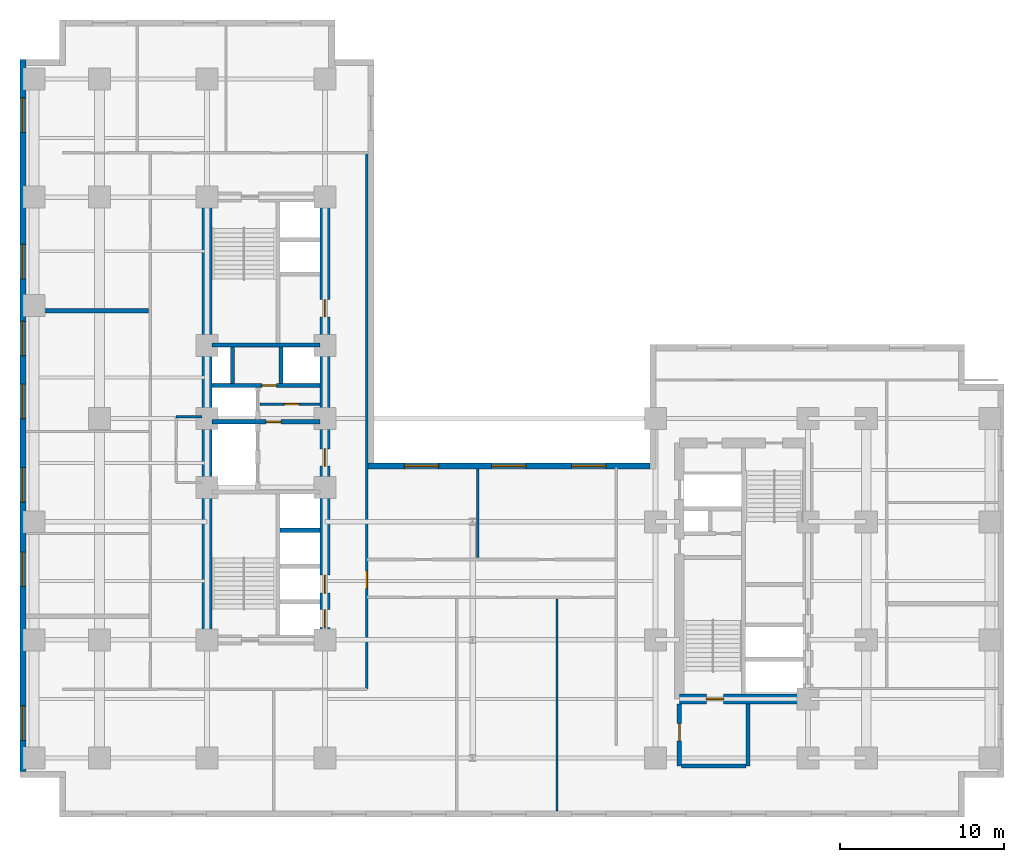
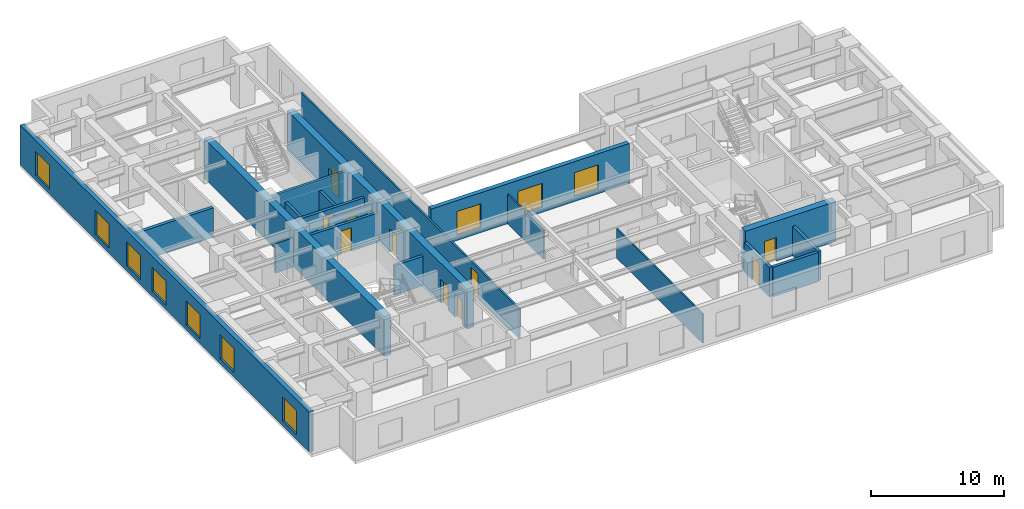
# One storey, part 4 of 9: 21 walls, 10 doors, 10 windows, 20 openings.
"""IFC4 building model written with IfcOpenShell, lengths in metres."""

from ifc_helpers import new_model, entity, si_unit, converted_unit, direction, frame, origin_with_axes, origin_2d_with_axis, place, context, subcontext, project, spatial, polyline, rectangle, outline, extrude, material, layer, layer_set, type_object, element, fill, save


model = new_model("IFC4")

# Units and contexts
model_context = context("Model", 3, precision=1e-05, world=origin_with_axes(), true_north=direction((0.0, 1.0)))
body_context = subcontext(model_context, "Body", "Model", "MODEL_VIEW")
ifc_project = project(units=[si_unit("LENGTHUNIT", "METRE"), si_unit("AREAUNIT", "SQUARE_METRE"), si_unit("VOLUMEUNIT", "CUBIC_METRE"), converted_unit("PLANEANGLEUNIT", "DEGREE", entity("IfcPlaneAngleMeasure", 0.017453292519943295), si_unit("PLANEANGLEUNIT", "RADIAN"), dimensions=[0, 0, 0, 0, 0, 0, 0]), si_unit("MASSUNIT", "GRAM", prefix="KILO"), si_unit("THERMODYNAMICTEMPERATUREUNIT", "KELVIN")], contexts=[model_context])

# Site, building, storey
site_placement = place(None, origin_with_axes())
site = spatial("IfcSite", under=ifc_project, at=site_placement, CompositionType="ELEMENT")
building_placement = place(site_placement, origin_with_axes())
building = spatial("IfcBuilding", under=site, at=building_placement, Name="Varnlund Millrace Tower", CompositionType="ELEMENT")
storey_placement = place(building_placement, frame((0.0, 0.0, 52.2), z_axis=(0.0, 0.0, 1.0), x_axis=(1.0, 0.0, 0.0)))
storey = spatial("IfcBuildingStorey", under=building, at=storey_placement, Name="L12", CompositionType="ELEMENT", Elevation=52.2)

# Wall
ifc_material_1 = material(Name="Concrete C80/95", Category="concrete")
ifc_layer_1 = layer(ifc_material_1, 0.6, Name="Concrete C80/95")
ifc_layer_set_1 = layer_set([ifc_layer_1], Name="Concrete C80/95")
wall_type_1 = type_object("IfcWallType", Name="Type-CoreWall-Shear-600-C80", PredefinedType="SHEAR", material=ifc_layer_set_1)
wall_1_placement = place(storey_placement, frame((11.4, 10.8, 0.0), z_axis=(0.0, 0.0, 1.0), x_axis=(0.0, 1.0, 0.0)))
element("IfcWall", 1, at=wall_1_placement, inside=storey, type_object=wall_type_1, Name="Type-CoreWall-Shear-600-C80", PredefinedType="SHEAR", context=body_context, shape_type="SweptSolid", body=[
    extrude(outline(polyline([(0.0, -0.3), (27.0, -0.3), (27.0, 0.3), (0.0, 0.3), (0.0, -0.3)])), origin_with_axes(), (0.0, 0.0, 1.0), 3.66),
])

# Wall, openings, doors
wall_2_placement = place(storey_placement, frame((18.6, 10.8, 0.0), z_axis=(0.0, 0.0, 1.0), x_axis=(0.0, 1.0, 0.0)))
wall_2 = element("IfcWall", 2, at=wall_2_placement, inside=storey, type_object=wall_type_1, Name="Type-CoreWall-Shear-600-C80", PredefinedType="SHEAR", context=body_context, shape_type="SweptSolid", body=[
    extrude(outline(polyline([(0.0, -0.3), (13.5, -0.3), (13.5, 0.3), (0.0, 0.3), (0.0, -0.3)])), origin_with_axes(), (0.0, 0.0, 1.0), 3.66),
])
opening_1_placement = place(wall_2_placement, frame((1.3, 0.0, 0.0), z_axis=(0.0, 0.0, 1.0), x_axis=(1.0, 0.0, 0.0)))
opening_1 = element("IfcOpeningElement", 3, at=opening_1_placement, cuts=wall_2, Name="Opening L12:LD-ELV-L1", PredefinedType="OPENING", context=body_context, shape_type="SweptSolid", body=[
    extrude(rectangle(XDim=1.1, YDim=0.62, at=origin_2d_with_axis()), origin_with_axes(), (0.0, 0.0, 1.0), 2.15),
])
opening_2_placement = place(wall_2_placement, frame((3.4, 0.0, 0.0), z_axis=(0.0, 0.0, 1.0), x_axis=(1.0, 0.0, 0.0)))
opening_2 = element("IfcOpeningElement", 4, at=opening_2_placement, cuts=wall_2, Name="Opening L12:LD-ELV-L2", PredefinedType="OPENING", context=body_context, shape_type="SweptSolid", body=[
    extrude(rectangle(XDim=1.1, YDim=0.62, at=origin_2d_with_axis()), origin_with_axes(), (0.0, 0.0, 1.0), 2.15),
])
opening_3_placement = place(wall_2_placement, frame((11.125, 0.0, 0.0), z_axis=(0.0, 0.0, 1.0), x_axis=(1.0, 0.0, 0.0)))
opening_3 = element("IfcOpeningElement", 5, at=opening_3_placement, cuts=wall_2, Name="Opening L12:DR-FFLOB-A", PredefinedType="OPENING", context=body_context, shape_type="SweptSolid", body=[
    extrude(rectangle(XDim=1.05, YDim=0.62, at=origin_2d_with_axis()), origin_with_axes(), (0.0, 0.0, 1.0), 2.15),
])
ifc_material_2 = material(Name="Smoke-barrier hollow steel fire door", Category="steel")
door_type_1 = type_object("IfcDoorType", Name="Type-FireDoor-Lobby-1050X2150", OperationType="NOTDEFINED", PredefinedType="DOOR", material=ifc_material_2)
door_1_placement = place(wall_2_placement, frame((11.125, 0.0, 0.0), z_axis=(0.0, 0.0, 1.0), x_axis=(1.0, 0.0, 0.0)))
door_1 = element("IfcDoor", 6, at=door_1_placement, inside=storey, type_object=door_type_1, Name="Type-FireDoor-Lobby-1050X2150", OperationType="SINGLE_SWING_LEFT", OverallHeight=2.15, OverallWidth=1.05, PredefinedType="DOOR", context=body_context, shape_type="SweptSolid", body=[
    extrude(rectangle(XDim=1.05, YDim=0.09, at=origin_2d_with_axis()), origin_with_axes(), (0.0, 0.0, 1.0), 2.15),
])
fill(opening_3, door_1)
ifc_material_3 = material(Name="Stainless and architectural bronze sliding landing door")
door_type_2 = type_object("IfcDoorType", Name="Type-LiftLandingDoor-1100X2150", OperationType="NOTDEFINED", PredefinedType="DOOR", material=ifc_material_3)
door_2_placement = place(wall_2_placement, frame((1.3, 0.0, 0.0), z_axis=(0.0, 0.0, 1.0), x_axis=(1.0, 0.0, 0.0)))
door_2 = element("IfcDoor", 7, at=door_2_placement, inside=storey, type_object=door_type_2, Name="Type-LiftLandingDoor-1100X2150", OperationType="SLIDING_TO_LEFT", OverallHeight=2.15, OverallWidth=1.1, PredefinedType="DOOR", context=body_context, shape_type="SweptSolid", body=[
    extrude(rectangle(XDim=1.1, YDim=0.09, at=origin_2d_with_axis()), origin_with_axes(), (0.0, 0.0, 1.0), 2.15),
])
fill(opening_1, door_2)
door_3_placement = place(wall_2_placement, frame((3.4, 0.0, 0.0), z_axis=(0.0, 0.0, 1.0), x_axis=(1.0, 0.0, 0.0)))
door_3 = element("IfcDoor", 8, at=door_3_placement, inside=storey, type_object=door_type_2, Name="Type-LiftLandingDoor-1100X2150", OperationType="SLIDING_TO_RIGHT", OverallHeight=2.15, OverallWidth=1.1, PredefinedType="DOOR", context=body_context, shape_type="SweptSolid", body=[
    extrude(rectangle(XDim=1.1, YDim=0.09, at=origin_2d_with_axis()), origin_with_axes(), (0.0, 0.0, 1.0), 2.15),
])
fill(opening_2, door_3)

# Wall, opening, door
wall_3_placement = place(storey_placement, frame((18.6, 24.3, 0.0), z_axis=(0.0, 0.0, 1.0), x_axis=(0.0, 1.0, 0.0)))
wall_3 = element("IfcWall", 9, at=wall_3_placement, inside=storey, type_object=wall_type_1, Name="Type-CoreWall-Shear-600-C80", PredefinedType="SHEAR", context=body_context, shape_type="SweptSolid", body=[
    extrude(outline(polyline([(0.0, -0.3), (13.5, -0.3), (13.5, 0.3), (0.0, 0.3), (0.0, -0.3)])), origin_with_axes(), (0.0, 0.0, 1.0), 3.66),
])
opening_4_placement = place(wall_3_placement, frame((6.725, 0.0, 0.0), z_axis=(0.0, 0.0, 1.0), x_axis=(1.0, 0.0, 0.0)))
opening_4 = element("IfcOpeningElement", 10, at=opening_4_placement, cuts=wall_3, Name="Opening L12:DR-CA-WC1", PredefinedType="OPENING", context=body_context, shape_type="SweptSolid", body=[
    extrude(rectangle(XDim=1.05, YDim=0.62, at=origin_2d_with_axis()), origin_with_axes(), (0.0, 0.0, 1.0), 2.15),
])
door_4_placement = place(wall_3_placement, frame((6.725, 0.0, 0.0), z_axis=(0.0, 0.0, 1.0), x_axis=(1.0, 0.0, 0.0)))
door_4 = element("IfcDoor", 11, at=door_4_placement, inside=storey, type_object=door_type_1, Name="Type-FireDoor-Lobby-1050X2150", OperationType="SINGLE_SWING_LEFT", OverallHeight=2.15, OverallWidth=1.05, PredefinedType="DOOR", context=body_context, shape_type="SweptSolid", body=[
    extrude(rectangle(XDim=1.05, YDim=0.09, at=origin_2d_with_axis()), origin_with_axes(), (0.0, 0.0, 1.0), 2.15),
])
fill(opening_4, door_4)

wall_4_placement = place(storey_placement, frame((40.2, 7.2, 0.0), z_axis=(0.0, 0.0, 1.0), x_axis=(1.0, 0.0, 0.0)))
wall_4 = element("IfcWall", 12, at=wall_4_placement, inside=storey, type_object=wall_type_1, Name="Type-CoreWall-Shear-600-C80", PredefinedType="SHEAR", context=body_context, shape_type="SweptSolid", body=[
    extrude(outline(polyline([(0.0, -0.3), (7.85, -0.3), (7.85, 0.3), (0.0, 0.3), (0.0, -0.3)])), origin_with_axes(), (0.0, 0.0, 1.0), 3.66),
])
opening_5_placement = place(wall_4_placement, frame((2.175, 0.0, 0.0), z_axis=(0.0, 0.0, 1.0), x_axis=(1.0, 0.0, 0.0)))
opening_5 = element("IfcOpeningElement", 13, at=opening_5_placement, cuts=wall_4, Name="Opening L12:DR-STB1", PredefinedType="OPENING", context=body_context, shape_type="SweptSolid", body=[
    extrude(rectangle(XDim=1.05, YDim=0.62, at=origin_2d_with_axis()), origin_with_axes(), (0.0, 0.0, 1.0), 2.15),
])
ifc_material_4 = material(Name="Fire-rated hollow steel door", Category="steel")
door_type_3 = type_object("IfcDoorType", Name="Type-FireDoor-Stair-1050X2150", OperationType="NOTDEFINED", PredefinedType="DOOR", material=ifc_material_4)
door_5_placement = place(wall_4_placement, frame((2.175, 0.0, 0.0), z_axis=(0.0, 0.0, 1.0), x_axis=(1.0, 0.0, 0.0)))
door_5 = element("IfcDoor", 14, at=door_5_placement, inside=storey, type_object=door_type_3, Name="Type-FireDoor-Stair-1050X2150", OperationType="SINGLE_SWING_LEFT", OverallHeight=2.15, OverallWidth=1.05, PredefinedType="DOOR", context=body_context, shape_type="SweptSolid", body=[
    extrude(rectangle(XDim=1.05, YDim=0.09, at=origin_2d_with_axis()), origin_with_axes(), (0.0, 0.0, 1.0), 2.15),
])
fill(opening_5, door_5)

# Wall, openings, windows
ifc_material_5 = material(Name="Precast concrete C50/60", Category="concrete")
ifc_layer_2 = layer(ifc_material_5, 0.38, Name="Precast concrete C50/60")
ifc_layer_set_2 = layer_set([ifc_layer_2], Name="Precast concrete C50/60")
wall_type_2 = type_object("IfcWallType", Name="Type-ExtWall-Precast-Tube-380", PredefinedType="SOLIDWALL", material=ifc_layer_set_2)
wall_5_placement = place(storey_placement, frame((0.19, 2.78, 0.0), z_axis=(0.0, 0.0, 1.0), x_axis=(0.0, 1.0, 0.0)))
wall_5 = element("IfcWall", 15, at=wall_5_placement, inside=storey, type_object=wall_type_2, Name="Type-ExtWall-Precast-Tube-380", PredefinedType="SOLIDWALL", context=body_context, shape_type="SweptSolid", body=[
    extrude(outline(polyline([(0.0, -0.19), (43.42, -0.19), (43.42, 0.19), (0.0, 0.19), (0.0, -0.19)])), origin_with_axes(), (0.0, 0.0, 1.0), 3.66),
])
opening_6_placement = place(wall_5_placement, frame((2.946, 0.0, 0.45), z_axis=(0.0, 0.0, 1.0), x_axis=(1.0, 0.0, 0.0)))
opening_6 = element("IfcOpeningElement", 16, at=opening_6_placement, cuts=wall_5, Name="Opening L12:WN-16", PredefinedType="OPENING", context=body_context, shape_type="SweptSolid", body=[
    extrude(rectangle(XDim=2.1, YDim=0.4, at=origin_2d_with_axis()), origin_with_axes(), (0.0, 0.0, 1.0), 2.2),
])
opening_7_placement = place(wall_5_placement, frame((12.328, 0.0, 0.45), z_axis=(0.0, 0.0, 1.0), x_axis=(1.0, 0.0, 0.0)))
opening_7 = element("IfcOpeningElement", 17, at=opening_7_placement, cuts=wall_5, Name="Opening L12:WN-17", PredefinedType="OPENING", context=body_context, shape_type="SweptSolid", body=[
    extrude(rectangle(XDim=2.1, YDim=0.4, at=origin_2d_with_axis()), origin_with_axes(), (0.0, 0.0, 1.0), 2.2),
])
opening_8_placement = place(wall_5_placement, frame((17.469, 0.0, 0.45), z_axis=(0.0, 0.0, 1.0), x_axis=(1.0, 0.0, 0.0)))
opening_8 = element("IfcOpeningElement", 18, at=opening_8_placement, cuts=wall_5, Name="Opening L12:WN-18", PredefinedType="OPENING", context=body_context, shape_type="SweptSolid", body=[
    extrude(rectangle(XDim=2.1, YDim=0.4, at=origin_2d_with_axis()), origin_with_axes(), (0.0, 0.0, 1.0), 2.2),
])
opening_9_placement = place(wall_5_placement, frame((22.56, 0.0, 0.45), z_axis=(0.0, 0.0, 1.0), x_axis=(1.0, 0.0, 0.0)))
opening_9 = element("IfcOpeningElement", 19, at=opening_9_placement, cuts=wall_5, Name="Opening L12:WN-19", PredefinedType="OPENING", context=body_context, shape_type="SweptSolid", body=[
    extrude(rectangle(XDim=2.1, YDim=0.4, at=origin_2d_with_axis()), origin_with_axes(), (0.0, 0.0, 1.0), 2.2),
])
opening_10_placement = place(wall_5_placement, frame((26.401, 0.0, 0.45), z_axis=(0.0, 0.0, 1.0), x_axis=(1.0, 0.0, 0.0)))
opening_10 = element("IfcOpeningElement", 20, at=opening_10_placement, cuts=wall_5, Name="Opening L12:WN-20", PredefinedType="OPENING", context=body_context, shape_type="SweptSolid", body=[
    extrude(rectangle(XDim=2.1, YDim=0.4, at=origin_2d_with_axis()), origin_with_axes(), (0.0, 0.0, 1.0), 2.2),
])
opening_11_placement = place(wall_5_placement, frame((31.092, 0.0, 0.45), z_axis=(0.0, 0.0, 1.0), x_axis=(1.0, 0.0, 0.0)))
opening_11 = element("IfcOpeningElement", 21, at=opening_11_placement, cuts=wall_5, Name="Opening L12:WN-21", PredefinedType="OPENING", context=body_context, shape_type="SweptSolid", body=[
    extrude(rectangle(XDim=2.1, YDim=0.4, at=origin_2d_with_axis()), origin_with_axes(), (0.0, 0.0, 1.0), 2.2),
])
opening_12_placement = place(wall_5_placement, frame((40.024, 0.0, 0.45), z_axis=(0.0, 0.0, 1.0), x_axis=(1.0, 0.0, 0.0)))
opening_12 = element("IfcOpeningElement", 22, at=opening_12_placement, cuts=wall_5, Name="Opening L12:WN-22", PredefinedType="OPENING", context=body_context, shape_type="SweptSolid", body=[
    extrude(rectangle(XDim=2.1, YDim=0.4, at=origin_2d_with_axis()), origin_with_axes(), (0.0, 0.0, 1.0), 2.2),
])
ifc_material_6 = material(Name="Argon low-e triple glazing in thermally broken bronze frame", Category="glass")
window_type = type_object("IfcWindowType", Name="Type-Window-Punched-2100X2200", PartitioningType="SINGLE_PANEL", PredefinedType="WINDOW", material=ifc_material_6)
window_1_placement = place(wall_5_placement, frame((2.946, 0.0, 0.45), z_axis=(0.0, 0.0, 1.0), x_axis=(1.0, 0.0, 0.0)))
window_1 = element("IfcWindow", 23, at=window_1_placement, inside=storey, type_object=window_type, Name="Type-Window-Punched-2100X2200", OverallHeight=2.2, OverallWidth=2.1, PredefinedType="WINDOW", context=body_context, shape_type="SweptSolid", body=[
    extrude(rectangle(XDim=2.1, YDim=0.09, at=origin_2d_with_axis()), origin_with_axes(), (0.0, 0.0, 1.0), 2.2),
])
fill(opening_6, window_1)
window_2_placement = place(wall_5_placement, frame((12.328, 0.0, 0.45), z_axis=(0.0, 0.0, 1.0), x_axis=(1.0, 0.0, 0.0)))
window_2 = element("IfcWindow", 24, at=window_2_placement, inside=storey, type_object=window_type, Name="Type-Window-Punched-2100X2200", OverallHeight=2.2, OverallWidth=2.1, PredefinedType="WINDOW", context=body_context, shape_type="SweptSolid", body=[
    extrude(rectangle(XDim=2.1, YDim=0.09, at=origin_2d_with_axis()), origin_with_axes(), (0.0, 0.0, 1.0), 2.2),
])
fill(opening_7, window_2)
window_3_placement = place(wall_5_placement, frame((17.469, 0.0, 0.45), z_axis=(0.0, 0.0, 1.0), x_axis=(1.0, 0.0, 0.0)))
window_3 = element("IfcWindow", 25, at=window_3_placement, inside=storey, type_object=window_type, Name="Type-Window-Punched-2100X2200", OverallHeight=2.2, OverallWidth=2.1, PredefinedType="WINDOW", context=body_context, shape_type="SweptSolid", body=[
    extrude(rectangle(XDim=2.1, YDim=0.09, at=origin_2d_with_axis()), origin_with_axes(), (0.0, 0.0, 1.0), 2.2),
])
fill(opening_8, window_3)
window_4_placement = place(wall_5_placement, frame((22.56, 0.0, 0.45), z_axis=(0.0, 0.0, 1.0), x_axis=(1.0, 0.0, 0.0)))
window_4 = element("IfcWindow", 26, at=window_4_placement, inside=storey, type_object=window_type, Name="Type-Window-Punched-2100X2200", OverallHeight=2.2, OverallWidth=2.1, PredefinedType="WINDOW", context=body_context, shape_type="SweptSolid", body=[
    extrude(rectangle(XDim=2.1, YDim=0.09, at=origin_2d_with_axis()), origin_with_axes(), (0.0, 0.0, 1.0), 2.2),
])
fill(opening_9, window_4)
window_5_placement = place(wall_5_placement, frame((26.401, 0.0, 0.45), z_axis=(0.0, 0.0, 1.0), x_axis=(1.0, 0.0, 0.0)))
window_5 = element("IfcWindow", 27, at=window_5_placement, inside=storey, type_object=window_type, Name="Type-Window-Punched-2100X2200", OverallHeight=2.2, OverallWidth=2.1, PredefinedType="WINDOW", context=body_context, shape_type="SweptSolid", body=[
    extrude(rectangle(XDim=2.1, YDim=0.09, at=origin_2d_with_axis()), origin_with_axes(), (0.0, 0.0, 1.0), 2.2),
])
fill(opening_10, window_5)
window_6_placement = place(wall_5_placement, frame((31.092, 0.0, 0.45), z_axis=(0.0, 0.0, 1.0), x_axis=(1.0, 0.0, 0.0)))
window_6 = element("IfcWindow", 28, at=window_6_placement, inside=storey, type_object=window_type, Name="Type-Window-Punched-2100X2200", OverallHeight=2.2, OverallWidth=2.1, PredefinedType="WINDOW", context=body_context, shape_type="SweptSolid", body=[
    extrude(rectangle(XDim=2.1, YDim=0.09, at=origin_2d_with_axis()), origin_with_axes(), (0.0, 0.0, 1.0), 2.2),
])
fill(opening_11, window_6)
window_7_placement = place(wall_5_placement, frame((40.024, 0.0, 0.45), z_axis=(0.0, 0.0, 1.0), x_axis=(1.0, 0.0, 0.0)))
window_7 = element("IfcWindow", 29, at=window_7_placement, inside=storey, type_object=window_type, Name="Type-Window-Punched-2100X2200", OverallHeight=2.2, OverallWidth=2.1, PredefinedType="WINDOW", context=body_context, shape_type="SweptSolid", body=[
    extrude(rectangle(XDim=2.1, YDim=0.09, at=origin_2d_with_axis()), origin_with_axes(), (0.0, 0.0, 1.0), 2.2),
])
fill(opening_12, window_7)

wall_6_placement = place(storey_placement, frame((21.22, 21.41, 0.0), z_axis=(0.0, 0.0, 1.0), x_axis=(1.0, 0.0, 0.0)))
wall_6 = element("IfcWall", 30, at=wall_6_placement, inside=storey, type_object=wall_type_2, Name="Type-ExtWall-Precast-Tube-380", PredefinedType="SOLIDWALL", context=body_context, shape_type="SweptSolid", body=[
    extrude(outline(polyline([(0.0, -0.19), (17.18, -0.19), (17.18, 0.19), (0.0, 0.19), (0.0, -0.19)])), origin_with_axes(), (0.0, 0.0, 1.0), 3.66),
])
opening_13_placement = place(wall_6_placement, frame((3.263, 0.0, 0.45), z_axis=(0.0, 0.0, 1.0), x_axis=(1.0, 0.0, 0.0)))
opening_13 = element("IfcOpeningElement", 31, at=opening_13_placement, cuts=wall_6, Name="Opening L12:WN-27", PredefinedType="OPENING", context=body_context, shape_type="SweptSolid", body=[
    extrude(rectangle(XDim=2.1, YDim=0.4, at=origin_2d_with_axis()), origin_with_axes(), (0.0, 0.0, 1.0), 2.2),
])
opening_14_placement = place(wall_6_placement, frame((8.59, 0.0, 0.45), z_axis=(0.0, 0.0, 1.0), x_axis=(1.0, 0.0, 0.0)))
opening_14 = element("IfcOpeningElement", 32, at=opening_14_placement, cuts=wall_6, Name="Opening L12:WN-28", PredefinedType="OPENING", context=body_context, shape_type="SweptSolid", body=[
    extrude(rectangle(XDim=2.1, YDim=0.4, at=origin_2d_with_axis()), origin_with_axes(), (0.0, 0.0, 1.0), 2.2),
])
opening_15_placement = place(wall_6_placement, frame((13.467, 0.0, 0.45), z_axis=(0.0, 0.0, 1.0), x_axis=(1.0, 0.0, 0.0)))
opening_15 = element("IfcOpeningElement", 33, at=opening_15_placement, cuts=wall_6, Name="Opening L12:WN-29", PredefinedType="OPENING", context=body_context, shape_type="SweptSolid", body=[
    extrude(rectangle(XDim=2.1, YDim=0.4, at=origin_2d_with_axis()), origin_with_axes(), (0.0, 0.0, 1.0), 2.2),
])
window_8_placement = place(wall_6_placement, frame((3.263, 0.0, 0.45), z_axis=(0.0, 0.0, 1.0), x_axis=(1.0, 0.0, 0.0)))
window_8 = element("IfcWindow", 34, at=window_8_placement, inside=storey, type_object=window_type, Name="Type-Window-Punched-2100X2200", OverallHeight=2.2, OverallWidth=2.1, PredefinedType="WINDOW", context=body_context, shape_type="SweptSolid", body=[
    extrude(rectangle(XDim=2.1, YDim=0.09, at=origin_2d_with_axis()), origin_with_axes(), (0.0, 0.0, 1.0), 2.2),
])
fill(opening_13, window_8)
window_9_placement = place(wall_6_placement, frame((8.59, 0.0, 0.45), z_axis=(0.0, 0.0, 1.0), x_axis=(1.0, 0.0, 0.0)))
window_9 = element("IfcWindow", 35, at=window_9_placement, inside=storey, type_object=window_type, Name="Type-Window-Punched-2100X2200", OverallHeight=2.2, OverallWidth=2.1, PredefinedType="WINDOW", context=body_context, shape_type="SweptSolid", body=[
    extrude(rectangle(XDim=2.1, YDim=0.09, at=origin_2d_with_axis()), origin_with_axes(), (0.0, 0.0, 1.0), 2.2),
])
fill(opening_14, window_9)
window_10_placement = place(wall_6_placement, frame((13.467, 0.0, 0.45), z_axis=(0.0, 0.0, 1.0), x_axis=(1.0, 0.0, 0.0)))
window_10 = element("IfcWindow", 36, at=window_10_placement, inside=storey, type_object=window_type, Name="Type-Window-Punched-2100X2200", OverallHeight=2.2, OverallWidth=2.1, PredefinedType="WINDOW", context=body_context, shape_type="SweptSolid", body=[
    extrude(rectangle(XDim=2.1, YDim=0.09, at=origin_2d_with_axis()), origin_with_axes(), (0.0, 0.0, 1.0), 2.2),
])
fill(opening_15, window_10)

# Wall
ifc_material_7 = material(Name="Double-stud STC-60 conference acoustic partition", Category="gypsum")
ifc_layer_3 = layer(ifc_material_7, 0.28, Name="Double-stud STC-60 conference acoustic partition")
ifc_layer_set_3 = layer_set([ifc_layer_3], Name="Double-stud STC-60 conference acoustic partition")
wall_type_3 = type_object("IfcWallType", Name="Type-Partition-Acoustic-280", PredefinedType="PARTITIONING", material=ifc_layer_set_3)
wall_7_placement = place(storey_placement, frame((0.375, 30.87, 0.0), z_axis=(0.0, 0.0, 1.0), x_axis=(1.0, 0.0, 0.0)))
element("IfcWall", 37, at=wall_7_placement, inside=storey, type_object=wall_type_3, Name="Type-Partition-Acoustic-280", PredefinedType="PARTITIONING", context=body_context, shape_type="SweptSolid", body=[
    extrude(outline(polyline([(0.0, -0.14), (7.455, -0.14), (7.455, 0.14), (0.0, 0.14), (0.0, -0.14)])), origin_with_axes(), (0.0, 0.0, 1.0), 2.7),
])

# Wall, opening, door
ifc_material_8 = material(Name="Fire-rated gypsum board on cold-formed steel framing", Category="steel")
ifc_layer_4 = layer(ifc_material_8, 0.16, Name="Fire-rated gypsum board on cold-formed steel framing")
ifc_layer_set_4 = layer_set([ifc_layer_4], Name="Fire-rated gypsum board on cold-formed steel framing")
wall_type_4 = type_object("IfcWallType", Name="Type-Partition-Corridor-160", PredefinedType="PARTITIONING", material=ifc_layer_set_4)
wall_8_placement = place(storey_placement, frame((14.62, 25.18, 0.0), z_axis=(0.0, 0.0, 1.0), x_axis=(1.0, 0.0, 0.0)))
wall_8 = element("IfcWall", 38, at=wall_8_placement, inside=storey, type_object=wall_type_4, Name="Type-Partition-Corridor-160", PredefinedType="PARTITIONING", context=body_context, shape_type="SweptSolid", body=[
    extrude(outline(polyline([(0.0, -0.08), (3.68, -0.08), (3.68, 0.08), (0.0, 0.08), (0.0, -0.08)])), origin_with_axes(), (0.0, 0.0, 1.0), 2.7),
])
opening_16_placement = place(wall_8_placement, frame((1.95, 0.0, 0.0), z_axis=(0.0, 0.0, 1.0), x_axis=(1.0, 0.0, 0.0)))
opening_16 = element("IfcOpeningElement", 39, at=opening_16_placement, cuts=wall_8, Name="Opening L12:DR-CA-SUB2", PredefinedType="OPENING", context=body_context, shape_type="SweptSolid", body=[
    extrude(rectangle(XDim=0.9, YDim=0.18, at=origin_2d_with_axis()), origin_with_axes(), (0.0, 0.0, 1.0), 2.15),
])
ifc_material_9 = material(Name="Painted steel riser and closet door", Category="steel")
door_type_4 = type_object("IfcDoorType", Name="Type-IntDoor-Closet-900X2150", OperationType="NOTDEFINED", PredefinedType="DOOR", material=ifc_material_9)
door_6_placement = place(wall_8_placement, frame((1.95, 0.0, 0.0), z_axis=(0.0, 0.0, 1.0), x_axis=(1.0, 0.0, 0.0)))
door_6 = element("IfcDoor", 40, at=door_6_placement, inside=storey, type_object=door_type_4, Name="Type-IntDoor-Closet-900X2150", OperationType="SINGLE_SWING_LEFT", OverallHeight=2.15, OverallWidth=0.9, PredefinedType="DOOR", context=body_context, shape_type="SweptSolid", body=[
    extrude(rectangle(XDim=0.9, YDim=0.09, at=origin_2d_with_axis()), origin_with_axes(), (0.0, 0.0, 1.0), 2.15),
])
fill(opening_16, door_6)

wall_9_placement = place(storey_placement, frame((21.15, 7.8, 0.0), z_axis=(0.0, 0.0, 1.0), x_axis=(0.0, 1.0, 0.0)))
wall_9 = element("IfcWall", 41, at=wall_9_placement, inside=storey, type_object=wall_type_4, Name="Type-Partition-Corridor-160", PredefinedType="PARTITIONING", context=body_context, shape_type="SweptSolid", body=[
    extrude(outline(polyline([(0.0, -0.08), (32.7, -0.08), (32.7, 0.08), (0.0, 0.08), (0.0, -0.08)])), origin_with_axes(), (0.0, 0.0, 1.0), 2.7),
])
opening_17_placement = place(wall_9_placement, frame((6.675, 0.0, 0.0), z_axis=(0.0, 0.0, 1.0), x_axis=(1.0, 0.0, 0.0)))
opening_17 = element("IfcOpeningElement", 42, at=opening_17_placement, cuts=wall_9, Name="Opening L12:DR-KN-W", PredefinedType="OPENING", context=body_context, shape_type="SweptSolid", body=[
    extrude(rectangle(XDim=1.05, YDim=0.18, at=origin_2d_with_axis()), origin_with_axes(), (0.0, 0.0, 1.0), 2.15),
])
door_7_placement = place(wall_9_placement, frame((6.675, 0.0, 0.0), z_axis=(0.0, 0.0, 1.0), x_axis=(1.0, 0.0, 0.0)))
door_7 = element("IfcDoor", 43, at=door_7_placement, inside=storey, type_object=door_type_1, Name="Type-FireDoor-Lobby-1050X2150", OperationType="SINGLE_SWING_LEFT", OverallHeight=2.15, OverallWidth=1.05, PredefinedType="DOOR", context=body_context, shape_type="SweptSolid", body=[
    extrude(rectangle(XDim=1.05, YDim=0.09, at=origin_2d_with_axis()), origin_with_axes(), (0.0, 0.0, 1.0), 2.15),
])
fill(opening_17, door_7)

# Walls
ifc_material_10 = material(Name="Acoustic STC-50 gypsum board partition", Category="gypsum")
ifc_layer_5 = layer(ifc_material_10, 0.15, Name="Acoustic STC-50 gypsum board partition")
ifc_layer_set_5 = layer_set([ifc_layer_5], Name="Acoustic STC-50 gypsum board partition")
wall_type_5 = type_object("IfcWallType", Name="Type-Partition-Demising-150", PredefinedType="PARTITIONING", material=ifc_layer_set_5)
wall_10_placement = place(storey_placement, frame((27.906, 15.82, 0.0), z_axis=(0.0, 0.0, 1.0), x_axis=(0.0, 1.0, 0.0)))
element("IfcWall", 44, at=wall_10_placement, inside=storey, type_object=wall_type_5, Name="Type-Partition-Demising-150", PredefinedType="PARTITIONING", context=body_context, shape_type="SweptSolid", body=[
    extrude(outline(polyline([(0.0, -0.075), (5.405, -0.075), (5.405, 0.075), (0.0, 0.075), (0.0, -0.075)])), origin_with_axes(), (0.0, 0.0, 1.0), 2.7),
])
ifc_material_11 = material(Name="Gypsum board tenant partition", Category="gypsum")
ifc_layer_6 = layer(ifc_material_11, 0.125, Name="Gypsum board tenant partition")
ifc_layer_set_6 = layer_set([ifc_layer_6], Name="Gypsum board tenant partition")
wall_type_6 = type_object("IfcWallType", Name="Type-Partition-Tenant-125", PredefinedType="PARTITIONING", material=ifc_layer_set_6)
wall_11_placement = place(storey_placement, frame((32.742, 0.36, 0.0), z_axis=(0.0, 0.0, 1.0), x_axis=(0.0, 1.0, 0.0)))
element("IfcWall", 45, at=wall_11_placement, inside=storey, type_object=wall_type_6, Name="Type-Partition-Tenant-125", PredefinedType="PARTITIONING", context=body_context, shape_type="SweptSolid", body=[
    extrude(outline(polyline([(0.0, -0.0625), (12.92, -0.0625), (12.92, 0.0625), (0.0, 0.0625), (0.0, -0.0625)])), origin_with_axes(), (0.0, 0.0, 1.0), 2.7),
])
ifc_material_12 = material(Name="Moisture-resistant gypsum restroom partition", Category="gypsum")
ifc_layer_7 = layer(ifc_material_12, 0.14, Name="Moisture-resistant gypsum restroom partition")
ifc_layer_set_7 = layer_set([ifc_layer_7], Name="Moisture-resistant gypsum restroom partition")
wall_type_7 = type_object("IfcWallType", Name="Type-Partition-Wet-140", PredefinedType="PARTITIONING", material=ifc_layer_set_7)
wall_12_placement = place(storey_placement, frame((9.52, 24.4, 0.0), z_axis=(0.0, 0.0, 1.0), x_axis=(1.0, 0.0, 0.0)))
element("IfcWall", 46, at=wall_12_placement, inside=storey, type_object=wall_type_7, Name="Type-Partition-Wet-140", PredefinedType="PARTITIONING", context=body_context, shape_type="SweptSolid", body=[
    extrude(outline(polyline([(0.0, -0.07), (1.58, -0.07), (1.58, 0.07), (0.0, 0.07), (0.0, -0.07)])), origin_with_axes(), (0.0, 0.0, 1.0), 2.7),
])

# Wall, opening, door
ifc_material_13 = material(Name="Concrete C60/75", Category="concrete")
ifc_layer_8 = layer(ifc_material_13, 0.25, Name="Concrete C60/75")
ifc_layer_set_8 = layer_set([ifc_layer_8], Name="Concrete C60/75")
wall_type_8 = type_object("IfcWallType", Name="Type-ShaftWall-Fire-250", PredefinedType="SOLIDWALL", material=ifc_layer_set_8)
wall_13_placement = place(storey_placement, frame((11.7, 24.1, 0.0), z_axis=(0.0, 0.0, 1.0), x_axis=(1.0, 0.0, 0.0)))
wall_13 = element("IfcWall", 47, at=wall_13_placement, inside=storey, type_object=wall_type_8, Name="Type-ShaftWall-Fire-250", PredefinedType="SOLIDWALL", context=body_context, shape_type="SweptSolid", body=[
    extrude(outline(polyline([(0.0, -0.125), (6.6, -0.125), (6.6, 0.125), (0.0, 0.125), (0.0, -0.125)])), origin_with_axes(), (0.0, 0.0, 1.0), 2.7),
])
opening_18_placement = place(wall_13_placement, frame((3.75, 0.0, 0.0), z_axis=(0.0, 0.0, 1.0), x_axis=(1.0, 0.0, 0.0)))
opening_18 = element("IfcOpeningElement", 48, at=opening_18_placement, cuts=wall_13, Name="Opening L12:DR-CA-SUB1", PredefinedType="OPENING", context=body_context, shape_type="SweptSolid", body=[
    extrude(rectangle(XDim=0.9, YDim=0.27, at=origin_2d_with_axis()), origin_with_axes(), (0.0, 0.0, 1.0), 2.15),
])
ifc_material_14 = material(Name="Fire-rated hollow steel service closet door", Category="steel")
door_type_5 = type_object("IfcDoorType", Name="Type-FireDoor-Closet-900X2150", OperationType="NOTDEFINED", PredefinedType="DOOR", material=ifc_material_14)
door_8_placement = place(wall_13_placement, frame((3.75, 0.0, 0.0), z_axis=(0.0, 0.0, 1.0), x_axis=(1.0, 0.0, 0.0)))
door_8 = element("IfcDoor", 49, at=door_8_placement, inside=storey, type_object=door_type_5, Name="Type-FireDoor-Closet-900X2150", OperationType="SINGLE_SWING_LEFT", OverallHeight=2.15, OverallWidth=0.9, PredefinedType="DOOR", context=body_context, shape_type="SweptSolid", body=[
    extrude(rectangle(XDim=0.9, YDim=0.09, at=origin_2d_with_axis()), origin_with_axes(), (0.0, 0.0, 1.0), 2.15),
])
fill(opening_18, door_8)

wall_14_placement = place(storey_placement, frame((11.7, 26.325, 0.0), z_axis=(0.0, 0.0, 1.0), x_axis=(1.0, 0.0, 0.0)))
wall_14 = element("IfcWall", 50, at=wall_14_placement, inside=storey, type_object=wall_type_8, Name="Type-ShaftWall-Fire-250", PredefinedType="SOLIDWALL", context=body_context, shape_type="SweptSolid", body=[
    extrude(outline(polyline([(0.0, -0.125), (6.6, -0.125), (6.6, 0.125), (0.0, 0.125), (0.0, -0.125)])), origin_with_axes(), (0.0, 0.0, 1.0), 2.7),
])
opening_19_placement = place(wall_14_placement, frame((3.5, 0.0, 0.0), z_axis=(0.0, 0.0, 1.0), x_axis=(1.0, 0.0, 0.0)))
opening_19 = element("IfcOpeningElement", 51, at=opening_19_placement, cuts=wall_14, Name="Opening L12:DR-CA-ELC", PredefinedType="OPENING", context=body_context, shape_type="SweptSolid", body=[
    extrude(rectangle(XDim=0.9, YDim=0.27, at=origin_2d_with_axis()), origin_with_axes(), (0.0, 0.0, 1.0), 2.15),
])
door_9_placement = place(wall_14_placement, frame((3.5, 0.0, 0.0), z_axis=(0.0, 0.0, 1.0), x_axis=(1.0, 0.0, 0.0)))
door_9 = element("IfcDoor", 52, at=door_9_placement, inside=storey, type_object=door_type_5, Name="Type-FireDoor-Closet-900X2150", OperationType="SINGLE_SWING_LEFT", OverallHeight=2.15, OverallWidth=0.9, PredefinedType="DOOR", context=body_context, shape_type="SweptSolid", body=[
    extrude(rectangle(XDim=0.9, YDim=0.09, at=origin_2d_with_axis()), origin_with_axes(), (0.0, 0.0, 1.0), 2.15),
])
fill(opening_19, door_9)

# Walls
for number, where, z_axis, x_axis, name in (
    (53, (12.96, 26.45, 0.0), (0.0, 0.0, 1.0), (0.0, 1.0, 0.0), "Type-ShaftWall-Fire-250"),
    (54, (15.925, 26.45, 0.0), (0.0, 0.0, 1.0), (0.0, 1.0, 0.0), "Type-ShaftWall-Fire-250"),
):
    element("IfcWall", number, at=place(storey_placement, frame(where, z_axis=z_axis, x_axis=x_axis)), inside=storey, type_object=wall_type_8, Name=name, PredefinedType="SOLIDWALL", context=body_context, shape_type="SweptSolid", body=[
        extrude(outline(polyline([(0.0, -0.125), (2.2, -0.125), (2.2, 0.125), (0.0, 0.125), (0.0, -0.125)])), origin_with_axes(), (0.0, 0.0, 1.0), 2.7),
    ])

# Wall, opening, door
wall_15_placement = place(storey_placement, frame((40.2, 3.1, 0.0), z_axis=(0.0, 0.0, 1.0), x_axis=(0.0, 1.0, 0.0)))
wall_15 = element("IfcWall", 55, at=wall_15_placement, inside=storey, type_object=wall_type_8, Name="Type-ShaftWall-Fire-250", PredefinedType="SOLIDWALL", context=body_context, shape_type="SweptSolid", body=[
    extrude(outline(polyline([(0.0, -0.125), (3.8, -0.125), (3.8, 0.125), (0.0, 0.125), (0.0, -0.125)])), origin_with_axes(), (0.0, 0.0, 1.0), 2.7),
])
opening_20_placement = place(wall_15_placement, frame((2.075, 0.0, 0.0), z_axis=(0.0, 0.0, 1.0), x_axis=(1.0, 0.0, 0.0)))
opening_20 = element("IfcOpeningElement", 56, at=opening_20_placement, cuts=wall_15, Name="Opening L12:DR-FFLOB-B", PredefinedType="OPENING", context=body_context, shape_type="SweptSolid", body=[
    extrude(rectangle(XDim=1.05, YDim=0.27, at=origin_2d_with_axis()), origin_with_axes(), (0.0, 0.0, 1.0), 2.15),
])
door_10_placement = place(wall_15_placement, frame((2.075, 0.0, 0.0), z_axis=(0.0, 0.0, 1.0), x_axis=(1.0, 0.0, 0.0)))
door_10 = element("IfcDoor", 57, at=door_10_placement, inside=storey, type_object=door_type_1, Name="Type-FireDoor-Lobby-1050X2150", OperationType="SINGLE_SWING_LEFT", OverallHeight=2.15, OverallWidth=1.05, PredefinedType="DOOR", context=body_context, shape_type="SweptSolid", body=[
    extrude(rectangle(XDim=1.05, YDim=0.09, at=origin_2d_with_axis()), origin_with_axes(), (0.0, 0.0, 1.0), 2.15),
])
fill(opening_20, door_10)

# Walls
wall_16_placement = place(storey_placement, frame((40.325, 3.1, 0.0), z_axis=(0.0, 0.0, 1.0), x_axis=(1.0, 0.0, 0.0)))
element("IfcWall", 58, at=wall_16_placement, inside=storey, type_object=wall_type_8, Name="Type-ShaftWall-Fire-250", PredefinedType="SOLIDWALL", context=body_context, shape_type="SweptSolid", body=[
    extrude(outline(polyline([(0.0, -0.125), (3.95, -0.125), (3.95, 0.125), (0.0, 0.125), (0.0, -0.125)])), origin_with_axes(), (0.0, 0.0, 1.0), 2.7),
])
wall_17_placement = place(storey_placement, frame((44.4, 3.1, 0.0), z_axis=(0.0, 0.0, 1.0), x_axis=(0.0, 1.0, 0.0)))
element("IfcWall", 59, at=wall_17_placement, inside=storey, type_object=wall_type_8, Name="Type-ShaftWall-Fire-250", PredefinedType="SOLIDWALL", context=body_context, shape_type="SweptSolid", body=[
    extrude(outline(polyline([(0.0, -0.125), (3.8, -0.125), (3.8, 0.125), (0.0, 0.125), (0.0, -0.125)])), origin_with_axes(), (0.0, 0.0, 1.0), 2.7),
])
wall_18_placement = place(storey_placement, frame((15.84, 17.49, 0.0), z_axis=(0.0, 0.0, 1.0), x_axis=(1.0, 0.0, 0.0)))
element("IfcWall", 60, at=wall_18_placement, inside=storey, type_object=wall_type_8, Name="Type-ShaftWall-Fire-250", PredefinedType="SOLIDWALL", context=body_context, shape_type="SweptSolid", body=[
    extrude(outline(polyline([(0.0, -0.125), (2.46, -0.125), (2.46, 0.125), (0.0, 0.125), (0.0, -0.125)])), origin_with_axes(), (0.0, 0.0, 1.0), 2.7),
])
wall_type_9 = type_object("IfcWallType", Name="Type-StairWall-Shear-250", PredefinedType="SHEAR", material=ifc_layer_set_8)
wall_19_placement = place(storey_placement, frame((11.7, 28.775, 0.0), z_axis=(0.0, 0.0, 1.0), x_axis=(1.0, 0.0, 0.0)))
element("IfcWall", 61, at=wall_19_placement, inside=storey, type_object=wall_type_9, Name="Type-StairWall-Shear-250", PredefinedType="SHEAR", context=body_context, shape_type="SweptSolid", body=[
    extrude(outline(polyline([(0.0, -0.125), (6.6, -0.125), (6.6, 0.125), (0.0, 0.125), (0.0, -0.125)])), origin_with_axes(), (0.0, 0.0, 1.0), 3.66),
])

save(model, "model.ifc")
